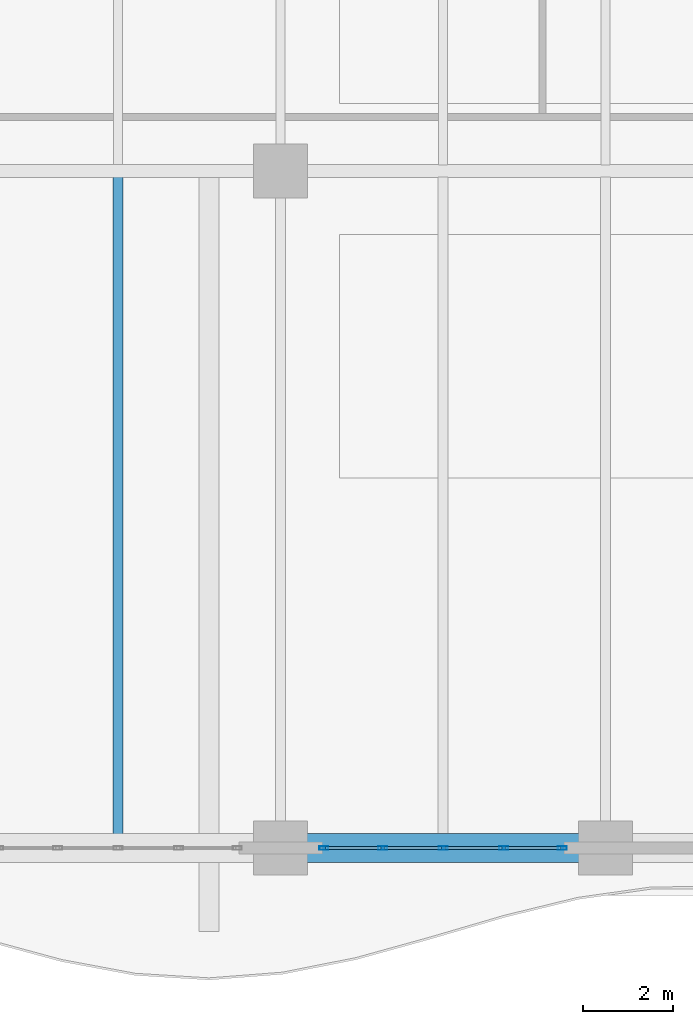
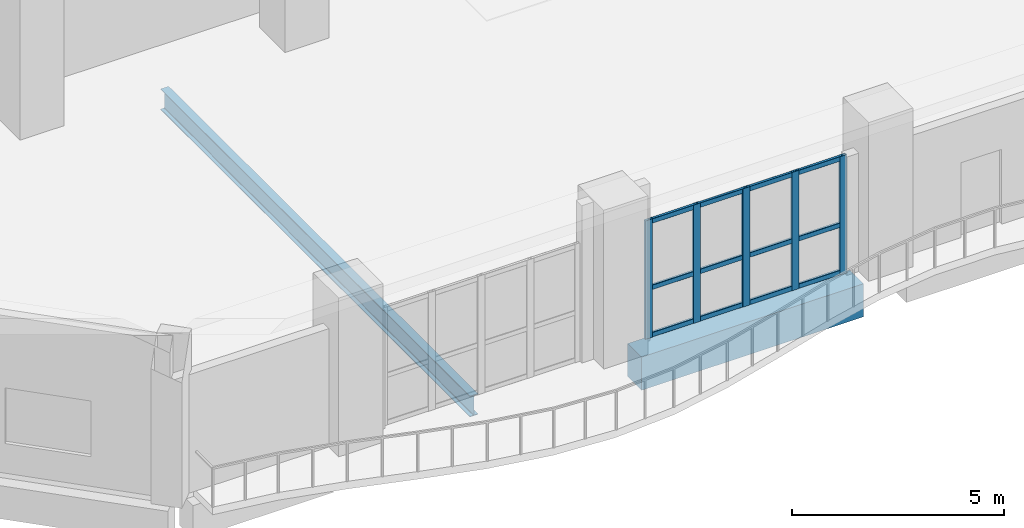
# One storey, part 4 of 37: 17 members, 2 beams, 1 element without a shape of its own.
"""IFC4 building model written with IfcOpenShell, lengths in metres."""

from ifc_helpers import new_model, si_unit, direction, frame, origin, origin_2d, place, context, subcontext, project, spatial, rectangle, hollow_rectangle, i_section, extrude, material, layer, layer_set, material_profile, profile_set, type_object, element, aggregate, save


model = new_model("IFC4")

# Units and contexts
model_context = context("Model", 3, precision=1e-05, world=origin(), true_north=direction((0.0, 1.0)))
body_context = subcontext(model_context, "Body", "Model", "MODEL_VIEW")
ifc_project = project(units=[si_unit("LENGTHUNIT", "METRE"), si_unit("AREAUNIT", "SQUARE_METRE"), si_unit("VOLUMEUNIT", "CUBIC_METRE"), si_unit("PLANEANGLEUNIT", "RADIAN"), si_unit("MASSUNIT", "GRAM", prefix="KILO")], contexts=[model_context])

# Site, building, storey
site_placement = place(None, origin())
site = spatial("IfcSite", under=ifc_project, at=site_placement, CompositionType="ELEMENT")
building_placement = place(site_placement, origin())
building = spatial("IfcBuilding", under=site, at=building_placement, Name="Kaelvorn Grand Hotel", CompositionType="ELEMENT")
storey_placement = place(building_placement, frame((0.0, 0.0, 130.550048828125)))
storey = spatial("IfcBuildingStorey", under=building, at=storey_placement, Name="L31", CompositionType="ELEMENT", Elevation=130.550048828125)

# Beams
ifc_material_1 = material(Name="Steel S355", Category="steel")
ifc_material_profile_1 = material_profile(ifc_material_1, i_section(OverallWidth=0.219970703125, OverallDepth=0.60009765625, WebThickness=0.011962890625, FlangeThickness=0.01904296875, FilletRadius=0.02392578125, at=origin_2d()), Name="IPE 600")
ifc_profile_set_1 = profile_set([ifc_material_profile_1], Name="Steel S355")
beam_type_1 = type_object("IfcBeamType", Name="BM-J-IPE600-S355", PredefinedType="JOIST", material=ifc_profile_set_1)
beam_1_placement = place(storey_placement, frame((12.60009765625, 0.31005859375, -0.5400390625), z_axis=(0.0, 1.0, 0.0), x_axis=(-1.0, 0.0, 0.0)))
element("IfcBeam", 1, at=beam_1_placement, inside=storey, type_object=beam_type_1, Name="L31 Composite Floor Joist JS-04", PredefinedType="JOIST", context=body_context, shape_type="SweptSolid", body=[
    extrude(i_section(OverallWidth=0.219970703125, OverallDepth=0.60009765625, WebThickness=0.011962890625, FlangeThickness=0.01904296875, FilletRadius=0.02392578125, at=origin_2d()), origin(), (0.0, 0.0, 1.0), 14.558837890625),
])
ifc_material_2 = material(Name="Concrete C60/75", Category="concrete")
ifc_material_profile_2 = material_profile(ifc_material_2, rectangle(XDim=0.64990234375, YDim=0.949951171875, at=origin_2d()), Name="RC SPANDREL 650x950")
ifc_profile_set_2 = profile_set([ifc_material_profile_2], Name="Concrete C60/75")
beam_type_2 = type_object("IfcBeamType", Name="BM-SP-650x950-C60", PredefinedType="SPANDREL", material=ifc_profile_set_2)
beam_2_placement = place(storey_placement, frame((16.784912109375, 0.0, -0.715087890625), z_axis=(1.0, 0.0, 0.0), x_axis=(0.0, 1.0, 0.0)))
element("IfcBeam", 2, at=beam_2_placement, inside=storey, type_object=beam_type_2, Name="L31 South Perimeter Spandrel 03", PredefinedType="SPANDREL", context=body_context, shape_type="SweptSolid", body=[
    extrude(rectangle(XDim=0.64990234375, YDim=0.949951171875, at=origin_2d()), origin(), (0.0, 0.0, 1.0), 6.030029296875),
])

# Curtain wall, members
ifc_material_3 = material(Name="Anodised Aluminium", Category="aluminium")
ifc_layer = layer(ifc_material_3, 0.199951171875)
ifc_layer_set = layer_set([ifc_layer], Name="Anodised Aluminium")
curtain_wall_type = type_object("IfcCurtainWallType", Name="CW-SYS3", PredefinedType="NOTDEFINED", material=ifc_layer_set)
curtain_wall_placement = place(storey_placement, origin())
curtain_wall = element("IfcCurtainWall", 3, at=curtain_wall_placement, inside=storey, type_object=curtain_wall_type, Name="L31 Unitised Curtain Wall CW3 (CW-L31-SB1-02)", PredefinedType="NOTDEFINED")
ifc_material_profile_3 = material_profile(ifc_material_3, hollow_rectangle(XDim=0.074951171875, YDim=0.199951171875, WallThickness=0.00390625, InnerFilletRadius=0.00390625, OuterFilletRadius=0.008056640625, at=origin_2d()), Name="ALU MULL 75x200")
ifc_profile_set_3 = profile_set([ifc_material_profile_3], Name="Anodised Aluminium")
member_type_1 = type_object("IfcMemberType", Name="CW-SYS3-MULL", PredefinedType="MULLION", material=ifc_profile_set_3)
member_1_placement = place(storey_placement, frame((17.157470703125, 0.0, 0.0), z_axis=(0.0, 0.0, 1.0), x_axis=(0.0, 1.0, 0.0)))
member_1 = element("IfcMember", 4, at=member_1_placement, type_object=member_type_1, Name="CW3 mullion 1", PredefinedType="MULLION", context=body_context, shape_type="SweptSolid", body=[
    extrude(hollow_rectangle(XDim=0.074951171875, YDim=0.199951171875, WallThickness=0.00390625, InnerFilletRadius=0.00390625, OuterFilletRadius=0.008056640625, at=origin_2d()), origin(), (0.0, 0.0, 1.0), 3.39990234375),
])
member_2_placement = place(storey_placement, frame((18.4599609375, 0.0, 0.0), z_axis=(0.0, 0.0, 1.0), x_axis=(0.0, 1.0, 0.0)))
member_2 = element("IfcMember", 5, at=member_2_placement, type_object=member_type_1, Name="CW3 mullion 2", PredefinedType="MULLION", context=body_context, shape_type="SweptSolid", body=[
    extrude(hollow_rectangle(XDim=0.074951171875, YDim=0.199951171875, WallThickness=0.00390625, InnerFilletRadius=0.00390625, OuterFilletRadius=0.008056640625, at=origin_2d()), origin(), (0.0, 0.0, 1.0), 3.39990234375),
])
member_3_placement = place(storey_placement, frame((19.800048828125, 0.0, 0.0), z_axis=(0.0, 0.0, 1.0), x_axis=(0.0, 1.0, 0.0)))
member_3 = element("IfcMember", 6, at=member_3_placement, type_object=member_type_1, Name="CW3 mullion 3", PredefinedType="MULLION", context=body_context, shape_type="SweptSolid", body=[
    extrude(hollow_rectangle(XDim=0.074951171875, YDim=0.199951171875, WallThickness=0.00390625, InnerFilletRadius=0.00390625, OuterFilletRadius=0.008056640625, at=origin_2d()), origin(), (0.0, 0.0, 1.0), 3.39990234375),
])
member_4_placement = place(storey_placement, frame((21.139892578125, 0.0, 0.0), z_axis=(0.0, 0.0, 1.0), x_axis=(0.0, 1.0, 0.0)))
member_4 = element("IfcMember", 7, at=member_4_placement, type_object=member_type_1, Name="CW3 mullion 4", PredefinedType="MULLION", context=body_context, shape_type="SweptSolid", body=[
    extrude(hollow_rectangle(XDim=0.074951171875, YDim=0.199951171875, WallThickness=0.00390625, InnerFilletRadius=0.00390625, OuterFilletRadius=0.008056640625, at=origin_2d()), origin(), (0.0, 0.0, 1.0), 3.39990234375),
])
member_5_placement = place(storey_placement, frame((22.4423828125, 0.0, 0.0), z_axis=(0.0, 0.0, 1.0), x_axis=(0.0, 1.0, 0.0)))
member_5 = element("IfcMember", 8, at=member_5_placement, type_object=member_type_1, Name="CW3 mullion 5", PredefinedType="MULLION", context=body_context, shape_type="SweptSolid", body=[
    extrude(hollow_rectangle(XDim=0.074951171875, YDim=0.199951171875, WallThickness=0.00390625, InnerFilletRadius=0.00390625, OuterFilletRadius=0.008056640625, at=origin_2d()), origin(), (0.0, 0.0, 1.0), 3.39990234375),
])
ifc_material_profile_4 = material_profile(ifc_material_3, hollow_rectangle(XDim=0.070068359375, YDim=0.135009765625, WallThickness=0.00341796875, InnerFilletRadius=0.00341796875, OuterFilletRadius=0.007080078125, at=origin_2d()), Name="ALU TRAN 70x135")
ifc_profile_set_4 = profile_set([ifc_material_profile_4], Name="Anodised Aluminium")
member_type_2 = type_object("IfcMemberType", Name="CW-SYS3-TRAN", PredefinedType="NOTDEFINED", material=ifc_profile_set_4)
member_6_placement = place(storey_placement, frame((17.195068359375, 0.0, 0.0673828125), z_axis=(1.0, 0.0, 0.0), x_axis=(0.0, 1.0, 0.0)))
member_6 = element("IfcMember", 9, at=member_6_placement, type_object=member_type_2, Name="CW3 transom 1.1", ObjectType="TRANSOM", PredefinedType="USERDEFINED", context=body_context, shape_type="SweptSolid", body=[
    extrude(hollow_rectangle(XDim=0.070068359375, YDim=0.135009765625, WallThickness=0.00341796875, InnerFilletRadius=0.00341796875, OuterFilletRadius=0.007080078125, at=origin_2d()), origin(), (0.0, 0.0, 1.0), 1.2275390625),
])
member_7_placement = place(storey_placement, frame((17.195068359375, 0.0, 1.427978515625), z_axis=(1.0, 0.0, 0.0), x_axis=(0.0, 1.0, 0.0)))
member_7 = element("IfcMember", 10, at=member_7_placement, type_object=member_type_2, Name="CW3 transom 1.2", ObjectType="TRANSOM", PredefinedType="USERDEFINED", context=body_context, shape_type="SweptSolid", body=[
    extrude(hollow_rectangle(XDim=0.070068359375, YDim=0.135009765625, WallThickness=0.00341796875, InnerFilletRadius=0.00341796875, OuterFilletRadius=0.007080078125, at=origin_2d()), origin(), (0.0, 0.0, 1.0), 1.2275390625),
])
member_8_placement = place(storey_placement, frame((17.195068359375, 0.0, 3.33251953125), z_axis=(1.0, 0.0, 0.0), x_axis=(0.0, 1.0, 0.0)))
member_8 = element("IfcMember", 11, at=member_8_placement, type_object=member_type_2, Name="CW3 transom 1.3", ObjectType="TRANSOM", PredefinedType="USERDEFINED", context=body_context, shape_type="SweptSolid", body=[
    extrude(hollow_rectangle(XDim=0.070068359375, YDim=0.135009765625, WallThickness=0.00341796875, InnerFilletRadius=0.00341796875, OuterFilletRadius=0.007080078125, at=origin_2d()), origin(), (0.0, 0.0, 1.0), 1.2275390625),
])
member_9_placement = place(storey_placement, frame((18.49755859375, 0.0, 0.0673828125), z_axis=(1.0, 0.0, 0.0), x_axis=(0.0, 1.0, 0.0)))
member_9 = element("IfcMember", 12, at=member_9_placement, type_object=member_type_2, Name="CW3 transom 2.1", ObjectType="TRANSOM", PredefinedType="USERDEFINED", context=body_context, shape_type="SweptSolid", body=[
    extrude(hollow_rectangle(XDim=0.070068359375, YDim=0.135009765625, WallThickness=0.00341796875, InnerFilletRadius=0.00341796875, OuterFilletRadius=0.007080078125, at=origin_2d()), origin(), (0.0, 0.0, 1.0), 1.264892578125),
])
member_10_placement = place(storey_placement, frame((18.49755859375, 0.0, 1.427978515625), z_axis=(1.0, 0.0, 0.0), x_axis=(0.0, 1.0, 0.0)))
member_10 = element("IfcMember", 13, at=member_10_placement, type_object=member_type_2, Name="CW3 transom 2.2", ObjectType="TRANSOM", PredefinedType="USERDEFINED", context=body_context, shape_type="SweptSolid", body=[
    extrude(hollow_rectangle(XDim=0.070068359375, YDim=0.135009765625, WallThickness=0.00341796875, InnerFilletRadius=0.00341796875, OuterFilletRadius=0.007080078125, at=origin_2d()), origin(), (0.0, 0.0, 1.0), 1.264892578125),
])
member_11_placement = place(storey_placement, frame((18.49755859375, 0.0, 3.33251953125), z_axis=(1.0, 0.0, 0.0), x_axis=(0.0, 1.0, 0.0)))
member_11 = element("IfcMember", 14, at=member_11_placement, type_object=member_type_2, Name="CW3 transom 2.3", ObjectType="TRANSOM", PredefinedType="USERDEFINED", context=body_context, shape_type="SweptSolid", body=[
    extrude(hollow_rectangle(XDim=0.070068359375, YDim=0.135009765625, WallThickness=0.00341796875, InnerFilletRadius=0.00341796875, OuterFilletRadius=0.007080078125, at=origin_2d()), origin(), (0.0, 0.0, 1.0), 1.264892578125),
])
member_12_placement = place(storey_placement, frame((19.83740234375, 0.0, 0.0673828125), z_axis=(1.0, 0.0, 0.0), x_axis=(0.0, 1.0, 0.0)))
member_12 = element("IfcMember", 15, at=member_12_placement, type_object=member_type_2, Name="CW3 transom 3.1", ObjectType="TRANSOM", PredefinedType="USERDEFINED", context=body_context, shape_type="SweptSolid", body=[
    extrude(hollow_rectangle(XDim=0.070068359375, YDim=0.135009765625, WallThickness=0.00341796875, InnerFilletRadius=0.00341796875, OuterFilletRadius=0.007080078125, at=origin_2d()), origin(), (0.0, 0.0, 1.0), 1.26513671875),
])
member_13_placement = place(storey_placement, frame((19.83740234375, 0.0, 1.427978515625), z_axis=(1.0, 0.0, 0.0), x_axis=(0.0, 1.0, 0.0)))
member_13 = element("IfcMember", 16, at=member_13_placement, type_object=member_type_2, Name="CW3 transom 3.2", ObjectType="TRANSOM", PredefinedType="USERDEFINED", context=body_context, shape_type="SweptSolid", body=[
    extrude(hollow_rectangle(XDim=0.070068359375, YDim=0.135009765625, WallThickness=0.00341796875, InnerFilletRadius=0.00341796875, OuterFilletRadius=0.007080078125, at=origin_2d()), origin(), (0.0, 0.0, 1.0), 1.26513671875),
])
member_14_placement = place(storey_placement, frame((19.83740234375, 0.0, 3.33251953125), z_axis=(1.0, 0.0, 0.0), x_axis=(0.0, 1.0, 0.0)))
member_14 = element("IfcMember", 17, at=member_14_placement, type_object=member_type_2, Name="CW3 transom 3.3", ObjectType="TRANSOM", PredefinedType="USERDEFINED", context=body_context, shape_type="SweptSolid", body=[
    extrude(hollow_rectangle(XDim=0.070068359375, YDim=0.135009765625, WallThickness=0.00341796875, InnerFilletRadius=0.00341796875, OuterFilletRadius=0.007080078125, at=origin_2d()), origin(), (0.0, 0.0, 1.0), 1.26513671875),
])
member_15_placement = place(storey_placement, frame((21.177490234375, 0.0, 0.0673828125), z_axis=(1.0, 0.0, 0.0), x_axis=(0.0, 1.0, 0.0)))
member_15 = element("IfcMember", 18, at=member_15_placement, type_object=member_type_2, Name="CW3 transom 4.1", ObjectType="TRANSOM", PredefinedType="USERDEFINED", context=body_context, shape_type="SweptSolid", body=[
    extrude(hollow_rectangle(XDim=0.070068359375, YDim=0.135009765625, WallThickness=0.00341796875, InnerFilletRadius=0.00341796875, OuterFilletRadius=0.007080078125, at=origin_2d()), origin(), (0.0, 0.0, 1.0), 1.2275390625),
])
member_16_placement = place(storey_placement, frame((21.177490234375, 0.0, 1.427978515625), z_axis=(1.0, 0.0, 0.0), x_axis=(0.0, 1.0, 0.0)))
member_16 = element("IfcMember", 19, at=member_16_placement, type_object=member_type_2, Name="CW3 transom 4.2", ObjectType="TRANSOM", PredefinedType="USERDEFINED", context=body_context, shape_type="SweptSolid", body=[
    extrude(hollow_rectangle(XDim=0.070068359375, YDim=0.135009765625, WallThickness=0.00341796875, InnerFilletRadius=0.00341796875, OuterFilletRadius=0.007080078125, at=origin_2d()), origin(), (0.0, 0.0, 1.0), 1.2275390625),
])
member_17_placement = place(storey_placement, frame((21.177490234375, 0.0, 3.33251953125), z_axis=(1.0, 0.0, 0.0), x_axis=(0.0, 1.0, 0.0)))
member_17 = element("IfcMember", 20, at=member_17_placement, type_object=member_type_2, Name="CW3 transom 4.3", ObjectType="TRANSOM", PredefinedType="USERDEFINED", context=body_context, shape_type="SweptSolid", body=[
    extrude(hollow_rectangle(XDim=0.070068359375, YDim=0.135009765625, WallThickness=0.00341796875, InnerFilletRadius=0.00341796875, OuterFilletRadius=0.007080078125, at=origin_2d()), origin(), (0.0, 0.0, 1.0), 1.2275390625),
])
aggregate(curtain_wall, [member_1, member_2, member_3, member_4, member_5, member_6, member_7, member_8, member_9, member_10, member_11, member_12, member_13, member_14, member_15, member_16, member_17])

save(model, "model.ifc")
